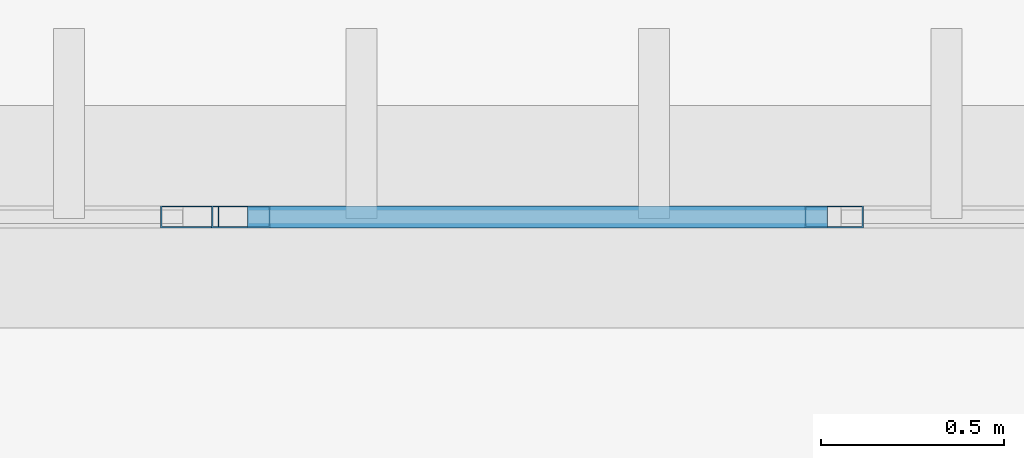
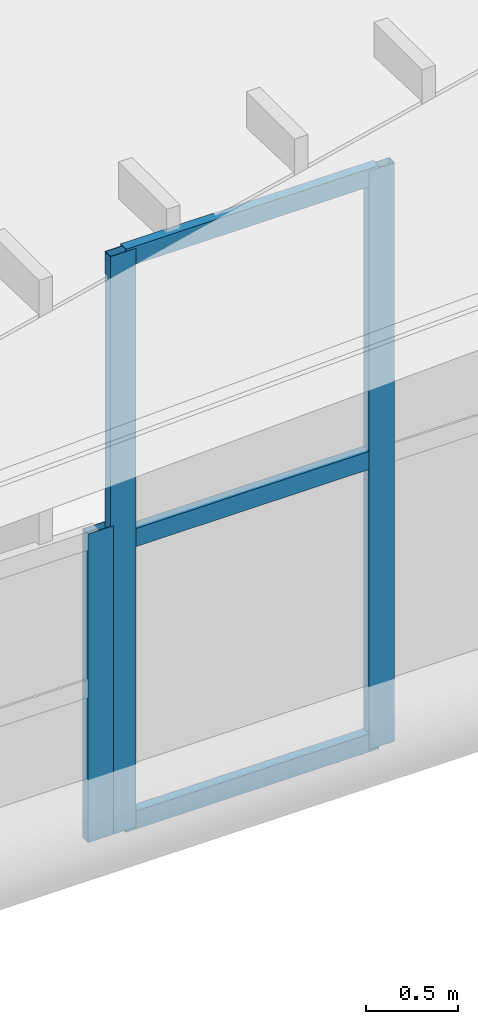
# One storey, part 229 of 397: 6 members, 2 elements without a shape of their own.
"""IFC4 building model written with IfcOpenShell, lengths in metres."""

from ifc_helpers import new_model, si_unit, direction, frame, origin, origin_2d, place, context, subcontext, project, spatial, hollow_rectangle, extrude, material, material_profile, profile_set, type_object, element, aggregate, save


model = new_model("IFC4")

# Units and contexts
model_context = context("Model", 3, precision=1e-05, world=origin(), true_north=direction((0.0, 1.0)))
body_context = subcontext(model_context, "Body", "Model", "MODEL_VIEW")
ifc_project = project(units=[si_unit("LENGTHUNIT", "METRE"), si_unit("AREAUNIT", "SQUARE_METRE"), si_unit("VOLUMEUNIT", "CUBIC_METRE"), si_unit("PLANEANGLEUNIT", "RADIAN"), si_unit("MASSUNIT", "GRAM", prefix="KILO")], contexts=[model_context])

# Site, building, storey
site_placement = place(None, origin())
site = spatial("IfcSite", under=ifc_project, at=site_placement, CompositionType="ELEMENT")
building_placement = place(site_placement, origin())
building = spatial("IfcBuilding", under=site, at=building_placement, Name="Qandorah Velis Arena", CompositionType="ELEMENT")
storey_placement = place(building_placement, frame((0.0, 0.0, 27.5)))
storey = spatial("IfcBuildingStorey", under=building, at=storey_placement, Name="RF", CompositionType="ELEMENT", Elevation=27.5)

# Curtain wall, member
ifc_material_1 = material(Name="Solar-control low-E double glazing", Category="glass")
curtain_wall_type_1 = type_object("IfcCurtainWallType", Name="ARC-CW-SYS01", PredefinedType="USERDEFINED", material=ifc_material_1)
curtain_wall_1_placement = place(storey_placement, origin())
curtain_wall_1 = element("IfcCurtainWall", 1, at=curtain_wall_1_placement, inside=storey, type_object=curtain_wall_type_1, Name="Unitised curtain wall CROWN-4-01S1", ObjectType="UNITISED CURTAIN WALL", PredefinedType="USERDEFINED")
ifc_material_2 = material(Name="Champagne-bronze anodized aluminium 6063-T6", Category="aluminium")
ifc_material_profile_1 = material_profile(ifc_material_2, hollow_rectangle(XDim=0.06005859375, YDim=0.159912109375, WallThickness=0.00341796875, at=origin_2d()), Name="ALU MULLION 60x160")
ifc_profile_set_1 = profile_set([ifc_material_profile_1], Name="Champagne-bronze anodized aluminium 6063-T6")
member_type_1 = type_object("IfcMemberType", Name="ARC-CWM-160", PredefinedType="MULLION", material=ifc_profile_set_1)
member_1_placement = place(storey_placement, frame((21.530029296875, 115.199951171875, -0.014892578125), z_axis=(0.0, 0.0, 1.0), x_axis=(0.0, 1.0, 0.0)))
member_1 = element("IfcMember", 2, at=member_1_placement, type_object=member_type_1, Name="CW01 mullion 5", PredefinedType="MULLION", context=body_context, shape_type="SweptSolid", body=[
    extrude(hollow_rectangle(XDim=0.06005859375, YDim=0.159912109375, WallThickness=0.00341796875, at=origin_2d()), origin(), (0.0, 0.0, 1.0), 2.04541015625),
])
aggregate(curtain_wall_1, [member_1])

# Curtain wall, members
curtain_wall_type_2 = type_object("IfcCurtainWallType", Name="ARC-CW-SYS02", PredefinedType="USERDEFINED", material=ifc_material_1)
curtain_wall_2_placement = place(storey_placement, origin())
curtain_wall_2 = element("IfcCurtainWall", 3, at=curtain_wall_2_placement, inside=storey, type_object=curtain_wall_type_2, Name="Unitised curtain wall CROWN-4-01S2", ObjectType="UNITISED CURTAIN WALL", PredefinedType="USERDEFINED")
member_2_placement = place(storey_placement, frame((21.669921875, 115.199951171875, -0.014892578125), z_axis=(0.0, 0.0, 1.0), x_axis=(0.0, 1.0, 0.0)))
member_2 = element("IfcMember", 4, at=member_2_placement, type_object=member_type_1, Name="CW02 mullion 1", PredefinedType="MULLION", context=body_context, shape_type="SweptSolid", body=[
    extrude(hollow_rectangle(XDim=0.06005859375, YDim=0.159912109375, WallThickness=0.00341796875, at=origin_2d()), origin(), (0.0, 0.0, 1.0), 3.83447265625),
])
member_3_placement = place(storey_placement, frame((23.29248046875, 115.199951171875, -0.014892578125), z_axis=(0.0, 0.0, 1.0), x_axis=(0.0, 1.0, 0.0)))
member_3 = element("IfcMember", 5, at=member_3_placement, type_object=member_type_1, Name="CW02 mullion 2", PredefinedType="MULLION", context=body_context, shape_type="SweptSolid", body=[
    extrude(hollow_rectangle(XDim=0.06005859375, YDim=0.159912109375, WallThickness=0.00341796875, at=origin_2d()), origin(), (0.0, 0.0, 1.0), 3.83447265625),
])
ifc_material_profile_2 = material_profile(ifc_material_2, hollow_rectangle(XDim=0.06005859375, YDim=0.1201171875, WallThickness=0.0029296875, at=origin_2d()), Name="ALU TRANSOM 60x120")
ifc_profile_set_2 = profile_set([ifc_material_profile_2], Name="Champagne-bronze anodized aluminium 6063-T6")
member_type_2 = type_object("IfcMemberType", Name="ARC-CWT-120", PredefinedType="USERDEFINED", material=ifc_profile_set_2)
member_4_placement = place(storey_placement, frame((21.68798828125, 115.199951171875, 0.030029296875), z_axis=(1.0, 0.0, 0.0), x_axis=(0.0, 1.0, 0.0)))
member_4 = element("IfcMember", 6, at=member_4_placement, type_object=member_type_2, Name="CW02 transom 1.1", ObjectType="TRANSOM", PredefinedType="USERDEFINED", context=body_context, shape_type="SweptSolid", body=[
    extrude(hollow_rectangle(XDim=0.06005859375, YDim=0.1201171875, WallThickness=0.0029296875, at=origin_2d()), origin(), (0.0, 0.0, 1.0), 1.58642578125),
])
member_5_placement = place(storey_placement, frame((21.68798828125, 115.199951171875, 1.90234375), z_axis=(1.0, 0.0, 0.0), x_axis=(0.0, 1.0, 0.0)))
member_5 = element("IfcMember", 7, at=member_5_placement, type_object=member_type_2, Name="CW02 transom 1.2", ObjectType="TRANSOM", PredefinedType="USERDEFINED", context=body_context, shape_type="SweptSolid", body=[
    extrude(hollow_rectangle(XDim=0.06005859375, YDim=0.1201171875, WallThickness=0.0029296875, at=origin_2d()), origin(), (0.0, 0.0, 1.0), 1.58642578125),
])
member_6_placement = place(storey_placement, frame((21.68798828125, 115.199951171875, 3.774658203125), z_axis=(1.0, 0.0, 0.0), x_axis=(0.0, 1.0, 0.0)))
member_6 = element("IfcMember", 8, at=member_6_placement, type_object=member_type_2, Name="CW02 transom 1.3", ObjectType="TRANSOM", PredefinedType="USERDEFINED", context=body_context, shape_type="SweptSolid", body=[
    extrude(hollow_rectangle(XDim=0.06005859375, YDim=0.1201171875, WallThickness=0.0029296875, at=origin_2d()), origin(), (0.0, 0.0, 1.0), 1.58642578125),
])
aggregate(curtain_wall_2, [member_2, member_3, member_4, member_5, member_6])

save(model, "model.ifc")
